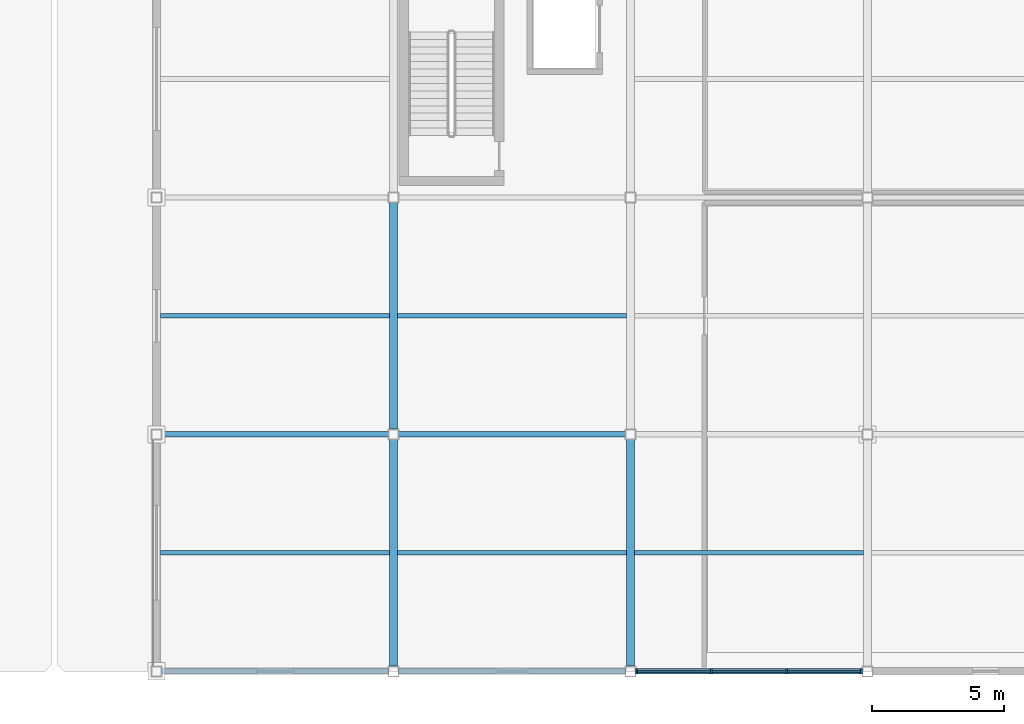
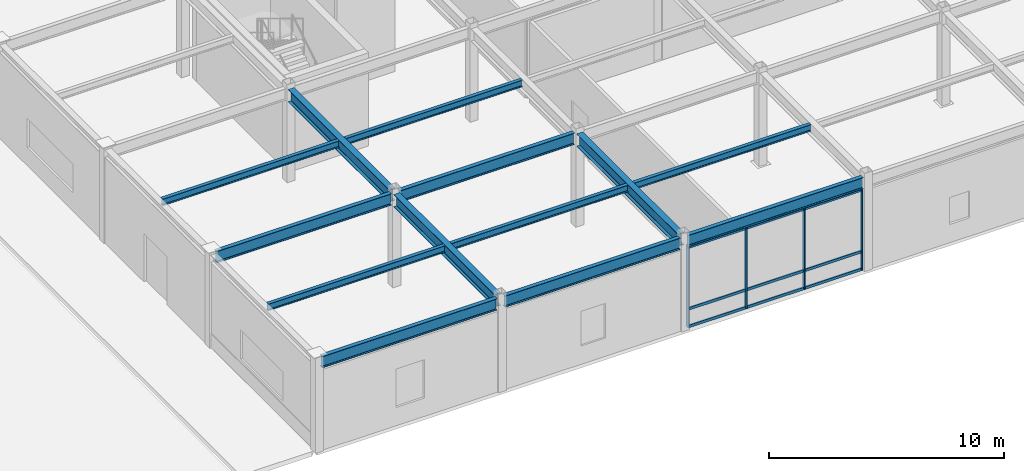
# One storey, part 54 of 123: 13 beams, 13 members, 1 element without a shape of its own.
"""IFC4 building model written with IfcOpenShell, lengths in metres."""

from ifc_helpers import new_model, si_unit, direction, frame, origin, origin_2d, place, context, subcontext, project, spatial, rectangle, i_section, extrude, material, material_profile, profile_set, type_object, element, aggregate, save


model = new_model("IFC4")

# Units and contexts
model_context = context("Model", 3, precision=1e-05, world=origin(), true_north=direction((0.0, 1.0)))
body_context = subcontext(model_context, "Body", "Model", "MODEL_VIEW")
ifc_project = project(units=[si_unit("LENGTHUNIT", "METRE"), si_unit("AREAUNIT", "SQUARE_METRE"), si_unit("VOLUMEUNIT", "CUBIC_METRE"), si_unit("PLANEANGLEUNIT", "RADIAN"), si_unit("MASSUNIT", "GRAM", prefix="KILO")], contexts=[model_context])

# Site, building, storey
site_placement = place(None, origin())
site = spatial("IfcSite", under=ifc_project, at=site_placement, CompositionType="ELEMENT")
building_placement = place(site_placement, origin())
building = spatial("IfcBuilding", under=site, at=building_placement, Name="Suzunagisa Mobility Hub", CompositionType="ELEMENT")
storey_placement = place(building_placement, origin())
storey = spatial("IfcBuildingStorey", under=building, at=storey_placement, Name="L00", CompositionType="ELEMENT", Elevation=0.0)

# Curtain wall, members
ifc_material_1 = material(Name="Thermally Broken Anodized Aluminum and Low-E Glazing", Category="aluminium")
curtain_wall_type = type_object("IfcCurtainWallType", Name="Unitised Curtain Wall CW-32 8500x4200", PredefinedType="USERDEFINED", material=ifc_material_1)
curtain_wall_placement = place(storey_placement, origin())
curtain_wall = element("IfcCurtainWall", 1, at=curtain_wall_placement, inside=storey, type_object=curtain_wall_type, Name="L00 Unitised Curtain Wall CW-142", ObjectType="UNITISED CURTAIN WALL", PredefinedType="USERDEFINED")
ifc_material_2 = material(Name="Anodized Aluminum 6063-T6", Category="aluminium")
ifc_material_profile_1 = material_profile(ifc_material_2, rectangle(XDim=0.06494140625, YDim=0.139892578125, at=origin_2d()), Name="TRAN-65x140")
ifc_profile_set_1 = profile_set([ifc_material_profile_1], Name="Anodized Aluminum 6063-T6")
member_type_1 = type_object("IfcMemberType", Name="Curtain Wall Framing CM-01 TRAN-65x140", PredefinedType="USERDEFINED", material=ifc_profile_set_1)
member_1_placement = place(storey_placement, frame((144.262939453125, 0.0, 0.032470703125), z_axis=(1.0, 0.0, 0.0), x_axis=(0.0, 1.0, 0.0)))
member_1 = element("IfcMember", 2, at=member_1_placement, type_object=member_type_1, Name="Curtain Wall Transom 142-T1.1", ObjectType="TRANSOM", PredefinedType="USERDEFINED", context=body_context, shape_type="SweptSolid", body=[
    extrude(rectangle(XDim=0.06494140625, YDim=0.139892578125, at=origin_2d()), origin(), (0.0, 0.0, 1.0), 2.773193359375),
])
member_2_placement = place(storey_placement, frame((144.262939453125, 0.0, 0.949951171875), z_axis=(1.0, 0.0, 0.0), x_axis=(0.0, 1.0, 0.0)))
member_2 = element("IfcMember", 3, at=member_2_placement, type_object=member_type_1, Name="Curtain Wall Transom 142-T1.2", ObjectType="TRANSOM", PredefinedType="USERDEFINED", context=body_context, shape_type="SweptSolid", body=[
    extrude(rectangle(XDim=0.06494140625, YDim=0.139892578125, at=origin_2d()), origin(), (0.0, 0.0, 1.0), 2.773193359375),
])
member_3_placement = place(storey_placement, frame((144.262939453125, 0.0, 4.157470703125), z_axis=(1.0, 0.0, 0.0), x_axis=(0.0, 1.0, 0.0)))
member_3 = element("IfcMember", 4, at=member_3_placement, type_object=member_type_1, Name="Curtain Wall Transom 142-T1.3", ObjectType="TRANSOM", PredefinedType="USERDEFINED", context=body_context, shape_type="SweptSolid", body=[
    extrude(rectangle(XDim=0.06494140625, YDim=0.139892578125, at=origin_2d()), origin(), (0.0, 0.0, 1.0), 2.773193359375),
])
member_4_placement = place(storey_placement, frame((147.09716796875, 0.0, 0.032470703125), z_axis=(1.0, 0.0, 0.0), x_axis=(0.0, 1.0, 0.0)))
member_4 = element("IfcMember", 5, at=member_4_placement, type_object=member_type_1, Name="Curtain Wall Transom 142-T2.1", ObjectType="TRANSOM", PredefinedType="USERDEFINED", context=body_context, shape_type="SweptSolid", body=[
    extrude(rectangle(XDim=0.06494140625, YDim=0.139892578125, at=origin_2d()), origin(), (0.0, 0.0, 1.0), 2.8056640625),
])
member_5_placement = place(storey_placement, frame((147.09716796875, 0.0, 0.949951171875), z_axis=(1.0, 0.0, 0.0), x_axis=(0.0, 1.0, 0.0)))
member_5 = element("IfcMember", 6, at=member_5_placement, type_object=member_type_1, Name="Curtain Wall Transom 142-T2.2", ObjectType="TRANSOM", PredefinedType="USERDEFINED", context=body_context, shape_type="SweptSolid", body=[
    extrude(rectangle(XDim=0.06494140625, YDim=0.139892578125, at=origin_2d()), origin(), (0.0, 0.0, 1.0), 2.8056640625),
])
member_6_placement = place(storey_placement, frame((147.09716796875, 0.0, 4.157470703125), z_axis=(1.0, 0.0, 0.0), x_axis=(0.0, 1.0, 0.0)))
member_6 = element("IfcMember", 7, at=member_6_placement, type_object=member_type_1, Name="Curtain Wall Transom 142-T2.3", ObjectType="TRANSOM", PredefinedType="USERDEFINED", context=body_context, shape_type="SweptSolid", body=[
    extrude(rectangle(XDim=0.06494140625, YDim=0.139892578125, at=origin_2d()), origin(), (0.0, 0.0, 1.0), 2.8056640625),
])
member_7_placement = place(storey_placement, frame((149.9638671875, 0.0, 0.032470703125), z_axis=(1.0, 0.0, 0.0), x_axis=(0.0, 1.0, 0.0)))
member_7 = element("IfcMember", 8, at=member_7_placement, type_object=member_type_1, Name="Curtain Wall Transom 142-T3.1", ObjectType="TRANSOM", PredefinedType="USERDEFINED", context=body_context, shape_type="SweptSolid", body=[
    extrude(rectangle(XDim=0.06494140625, YDim=0.139892578125, at=origin_2d()), origin(), (0.0, 0.0, 1.0), 2.773193359375),
])
member_8_placement = place(storey_placement, frame((149.9638671875, 0.0, 0.949951171875), z_axis=(1.0, 0.0, 0.0), x_axis=(0.0, 1.0, 0.0)))
member_8 = element("IfcMember", 9, at=member_8_placement, type_object=member_type_1, Name="Curtain Wall Transom 142-T3.2", ObjectType="TRANSOM", PredefinedType="USERDEFINED", context=body_context, shape_type="SweptSolid", body=[
    extrude(rectangle(XDim=0.06494140625, YDim=0.139892578125, at=origin_2d()), origin(), (0.0, 0.0, 1.0), 2.773193359375),
])
member_9_placement = place(storey_placement, frame((149.9638671875, 0.0, 4.157470703125), z_axis=(1.0, 0.0, 0.0), x_axis=(0.0, 1.0, 0.0)))
member_9 = element("IfcMember", 10, at=member_9_placement, type_object=member_type_1, Name="Curtain Wall Transom 142-T3.3", ObjectType="TRANSOM", PredefinedType="USERDEFINED", context=body_context, shape_type="SweptSolid", body=[
    extrude(rectangle(XDim=0.06494140625, YDim=0.139892578125, at=origin_2d()), origin(), (0.0, 0.0, 1.0), 2.773193359375),
])
ifc_material_profile_2 = material_profile(ifc_material_2, rectangle(XDim=0.06494140625, YDim=0.179931640625, at=origin_2d()), Name="MULL-65x180")
ifc_profile_set_2 = profile_set([ifc_material_profile_2], Name="Anodized Aluminum 6063-T6")
member_type_2 = type_object("IfcMemberType", Name="Curtain Wall Framing CM-04 MULL-65x180", PredefinedType="MULLION", material=ifc_profile_set_2)
member_10_placement = place(storey_placement, frame((144.232421875, 0.0, 0.0), z_axis=(0.0, 0.0, 1.0), x_axis=(1.0, 0.0, 0.0)))
member_10 = element("IfcMember", 11, at=member_10_placement, type_object=member_type_2, Name="Curtain Wall Mullion 142-M1", PredefinedType="MULLION", context=body_context, shape_type="SweptSolid", body=[
    extrude(rectangle(XDim=0.06494140625, YDim=0.179931640625, at=origin_2d()), origin(), (0.0, 0.0, 1.0), 4.18994140625),
])
member_11_placement = place(storey_placement, frame((147.066650390625, 0.0, 0.0), z_axis=(0.0, 0.0, 1.0), x_axis=(1.0, 0.0, 0.0)))
member_11 = element("IfcMember", 12, at=member_11_placement, type_object=member_type_2, Name="Curtain Wall Mullion 142-M2", PredefinedType="MULLION", context=body_context, shape_type="SweptSolid", body=[
    extrude(rectangle(XDim=0.06494140625, YDim=0.179931640625, at=origin_2d()), origin(), (0.0, 0.0, 1.0), 4.18994140625),
])
member_12_placement = place(storey_placement, frame((149.933349609375, 0.0, 0.0), z_axis=(0.0, 0.0, 1.0), x_axis=(1.0, 0.0, 0.0)))
member_12 = element("IfcMember", 13, at=member_12_placement, type_object=member_type_2, Name="Curtain Wall Mullion 142-M3", PredefinedType="MULLION", context=body_context, shape_type="SweptSolid", body=[
    extrude(rectangle(XDim=0.06494140625, YDim=0.179931640625, at=origin_2d()), origin(), (0.0, 0.0, 1.0), 4.18994140625),
])
member_13_placement = place(storey_placement, frame((152.767578125, 0.0, 0.0), z_axis=(0.0, 0.0, 1.0), x_axis=(1.0, 0.0, 0.0)))
member_13 = element("IfcMember", 14, at=member_13_placement, type_object=member_type_2, Name="Curtain Wall Mullion 142-M4", PredefinedType="MULLION", context=body_context, shape_type="SweptSolid", body=[
    extrude(rectangle(XDim=0.06494140625, YDim=0.179931640625, at=origin_2d()), origin(), (0.0, 0.0, 1.0), 4.18994140625),
])
aggregate(curtain_wall, [member_10, member_11, member_12, member_13, member_1, member_2, member_3, member_4, member_5, member_6, member_7, member_8, member_9])

# Beams
ifc_material_3 = material(Name="Steel SN400B", Category="steel")
ifc_material_profile_3 = material_profile(ifc_material_3, i_section(OverallWidth=0.175048828125, OverallDepth=0.35009765625, WebThickness=0.007080078125, FlangeThickness=0.010986328125, FilletRadius=0.008056640625, at=origin_2d()), Name="H-350x175x7x11")
ifc_profile_set_3 = profile_set([ifc_material_profile_3], Name="Steel SN400B")
beam_type_1 = type_object("IfcBeamType", Name="Steel Beam BM-03 H-350x175x7x11", PredefinedType="JOIST", material=ifc_profile_set_3)
for number, where, z_axis, x_axis, name in (
    (15, (135.14990234375, 4.5, 4.6650390625), (1.0, 0.0, 0.0), (0.0, 1.0, 0.0), "L00 Composite Floor Joist J-1440"),
    (16, (135.14990234375, 13.5, 4.6650390625), (1.0, 0.0, 0.0), (0.0, 1.0, 0.0), "L00 Composite Floor Joist J-1441"),
    (17, (144.14990234375, 4.5, 4.6650390625), (1.0, 0.0, 0.0), (0.0, 1.0, 0.0), "L00 Composite Floor Joist J-1443"),
    (18, (126.14990234375, 4.5, 4.6650390625), (1.0, 0.0, 0.0), (0.0, 1.0, 0.0), "L00 Composite Floor Joist J-1466"),
    (19, (126.14990234375, 13.5, 4.6650390625), (1.0, 0.0, 0.0), (0.0, 1.0, 0.0), "L00 Composite Floor Joist J-1467"),
):
    element("IfcBeam", number, at=place(storey_placement, frame(where, z_axis=z_axis, x_axis=x_axis)), inside=storey, type_object=beam_type_1, Name=name, PredefinedType="JOIST", context=body_context, shape_type="SweptSolid", body=[
        extrude(i_section(OverallWidth=0.175048828125, OverallDepth=0.35009765625, WebThickness=0.007080078125, FlangeThickness=0.010986328125, FilletRadius=0.008056640625, at=origin_2d()), origin(), (0.0, 0.0, 1.0), 8.7001953125),
    ])
ifc_material_4 = material(Name="Steel SN490B", Category="steel")
ifc_material_profile_4 = material_profile(ifc_material_4, i_section(OverallWidth=0.199951171875, OverallDepth=0.60009765625, WebThickness=0.010986328125, FlangeThickness=0.01708984375, FilletRadius=0.012939453125, at=origin_2d()), Name="H-600x200x11x17")
ifc_profile_set_4 = profile_set([ifc_material_profile_4], Name="Steel SN490B")
beam_type_2 = type_object("IfcBeamType", Name="Steel Beam BM-07 H-600x200x11x17", PredefinedType="BEAM", material=ifc_profile_set_4)
for number, where, z_axis, x_axis, name in (
    (20, (135.196044921875, 0.0, 4.5400390625), (1.0, 0.0, 0.0), (0.0, 1.0, 0.0), "L00 Primary Girder GX-1392"),
    (21, (144.196044921875, 0.0, 4.5400390625), (1.0, 0.0, 0.0), (0.0, 1.0, 0.0), "L00 Primary Girder GX-1393"),
    (22, (135.196044921875, 9.0, 4.5400390625), (1.0, 0.0, 0.0), (0.0, 1.0, 0.0), "L00 Primary Girder GX-1396"),
    (23, (126.196044921875, 0.0, 4.5400390625), (1.0, 0.0, 0.0), (0.0, 1.0, 0.0), "L00 Primary Girder GX-1457"),
    (24, (126.196044921875, 9.0, 4.5400390625), (1.0, 0.0, 0.0), (0.0, 1.0, 0.0), "L00 Primary Girder GX-1458"),
):
    element("IfcBeam", number, at=place(storey_placement, frame(where, z_axis=z_axis, x_axis=x_axis)), inside=storey, type_object=beam_type_2, Name=name, PredefinedType="BEAM", context=body_context, shape_type="SweptSolid", body=[
        extrude(i_section(OverallWidth=0.199951171875, OverallDepth=0.60009765625, WebThickness=0.010986328125, FlangeThickness=0.01708984375, FilletRadius=0.012939453125, at=origin_2d()), origin(), (0.0, 0.0, 1.0), 8.60791015625),
    ])
ifc_material_profile_5 = material_profile(ifc_material_4, i_section(OverallWidth=0.300048828125, OverallDepth=0.64990234375, WebThickness=0.012939453125, FlangeThickness=0.02197265625, FilletRadius=0.01611328125, at=origin_2d()), Name="H-650x300x13x22")
ifc_profile_set_5 = profile_set([ifc_material_profile_5], Name="Steel SN490B")
beam_type_3 = type_object("IfcBeamType", Name="Steel Beam BM-10 H-650x300x13x22", PredefinedType="BEAM", material=ifc_profile_set_5)
for number, where, z_axis, x_axis, name in (
    (25, (135.0, 0.196044921875, 4.514892578125), (0.0, 1.0, 0.0), (-1.0, 0.0, 0.0), "L00 Primary Girder GY-1416"),
    (26, (135.0, 9.196044921875, 4.514892578125), (0.0, 1.0, 0.0), (-1.0, 0.0, 0.0), "L00 Primary Girder GY-1417"),
    (27, (144.0, 0.196044921875, 4.514892578125), (0.0, 1.0, 0.0), (-1.0, 0.0, 0.0), "L00 Primary Girder GY-1420"),
):
    element("IfcBeam", number, at=place(storey_placement, frame(where, z_axis=z_axis, x_axis=x_axis)), inside=storey, type_object=beam_type_3, Name=name, PredefinedType="BEAM", context=body_context, shape_type="SweptSolid", body=[
        extrude(i_section(OverallWidth=0.300048828125, OverallDepth=0.64990234375, WebThickness=0.012939453125, FlangeThickness=0.02197265625, FilletRadius=0.01611328125, at=origin_2d()), origin(), (0.0, 0.0, 1.0), 8.60791015625),
    ])

save(model, "model.ifc")
